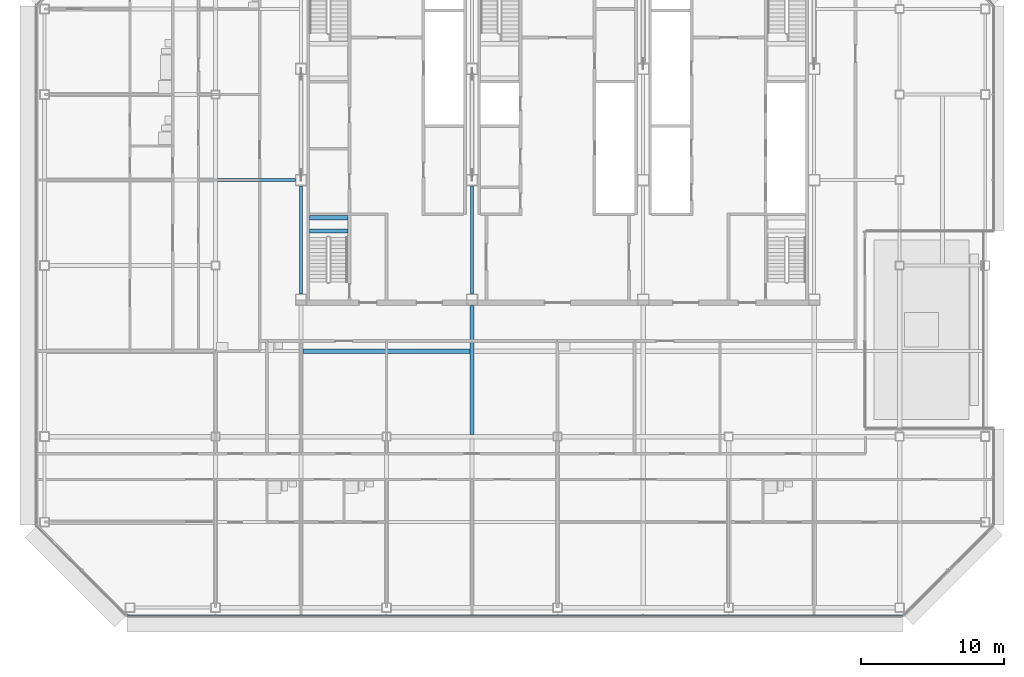
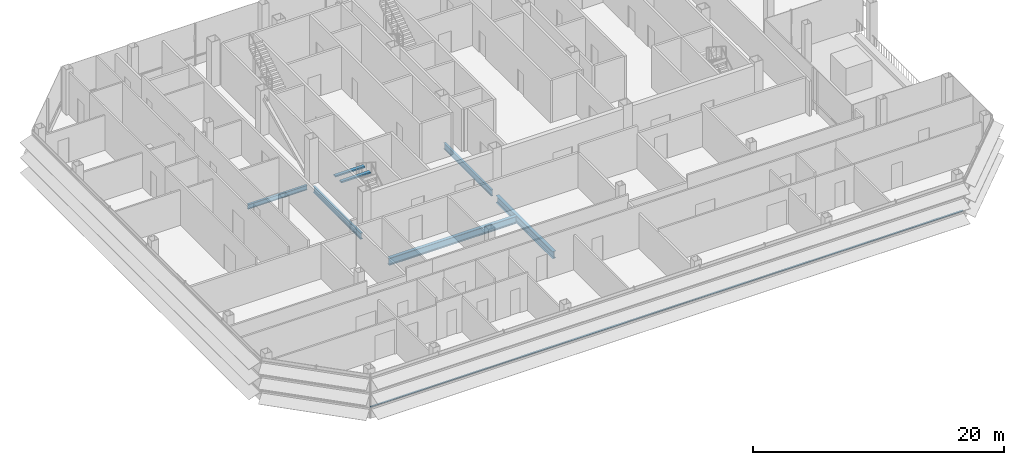
# One storey, part 7 of 30: 7 beams, 1 member, 1 element without a shape of its own.
"""IFC4 building model written with IfcOpenShell, lengths in metres."""

from ifc_helpers import new_model, si_unit, direction, frame, origin, origin_2d, place, context, subcontext, project, spatial, rectangle, i_section, extrude, material, material_profile, profile_set, type_object, element, aggregate, save


model = new_model("IFC4")

# Units and contexts
model_context = context("Model", 3, precision=1e-05, world=origin(), true_north=direction((0.0, 1.0)))
body_context = subcontext(model_context, "Body", "Model", "MODEL_VIEW")
ifc_project = project(units=[si_unit("LENGTHUNIT", "METRE"), si_unit("AREAUNIT", "SQUARE_METRE"), si_unit("VOLUMEUNIT", "CUBIC_METRE"), si_unit("PLANEANGLEUNIT", "RADIAN"), si_unit("MASSUNIT", "GRAM", prefix="KILO")], contexts=[model_context])

# Site, building, storey
site_placement = place(None, origin())
site = spatial("IfcSite", under=ifc_project, at=site_placement, CompositionType="ELEMENT")
building_placement = place(site_placement, origin())
building = spatial("IfcBuilding", under=site, at=building_placement, Name="Sorahane Residences", CompositionType="ELEMENT")
storey_placement = place(building_placement, frame((0.0, 0.0, 229.800048828125)))
storey = spatial("IfcBuildingStorey", under=building, at=storey_placement, Name="L54", CompositionType="ELEMENT", Elevation=229.800048828125)

# Curtain wall, member
ifc_material_1 = material(Name="Dark low-e glass and black anodised aluminium", Category="aluminium")
curtain_wall_type = type_object("IfcCurtainWallType", Name="Curtain wall CW-1 Typical unitised wall", PredefinedType="NOTDEFINED", material=ifc_material_1)
curtain_wall_placement = place(storey_placement, origin())
curtain_wall = element("IfcCurtainWall", 1, at=curtain_wall_placement, inside=storey, type_object=curtain_wall_type, Name="CW-1 curtain wall L54 S2", PredefinedType="NOTDEFINED")
ifc_material_2 = material(Name="Black anodised aluminium", Category="aluminium")
ifc_material_profile_1 = material_profile(ifc_material_2, rectangle(XDim=0.10009765625, YDim=0.06005859375, at=origin_2d()), Name="Curtain wall transom CW-1 black anodised aluminium 60x100")
ifc_profile_set_1 = profile_set([ifc_material_profile_1], Name="Black anodised aluminium")
member_type = type_object("IfcMemberType", Name="Curtain wall transom CW-1 black anodised aluminium 60x100", PredefinedType="USERDEFINED", material=ifc_profile_set_1)
member_placement = place(storey_placement, frame((-6.198486328125, -0.530029296875, 0.89990234375), z_axis=(1.0, 0.0, 0.0), x_axis=(0.0, 1.0, 0.0)))
member = element("IfcMember", 2, at=member_placement, type_object=member_type, Name="CW-1 transom L54 S2", ObjectType="TRANSOM", PredefinedType="USERDEFINED", context=body_context, shape_type="SweptSolid", body=[
    extrude(rectangle(XDim=0.10009765625, YDim=0.06005859375, at=origin_2d()), origin(), (0.0, 0.0, 1.0), 54.39697265625),
])
aggregate(curtain_wall, [member])

# Beams
ifc_material_3 = material(Name="Concrete C40", Category="concrete")
ifc_material_profile_2 = material_profile(ifc_material_3, rectangle(XDim=0.300048828125, YDim=0.139892578125, at=origin_2d()), Name="300x140")
ifc_profile_set_2 = profile_set([ifc_material_profile_2], Name="Concrete C40")
beam_type_1 = type_object("IfcBeamType", Name="RC landing beam 300 x 140 Concrete C40", PredefinedType="BEAM", material=ifc_profile_set_2)
for number, where, z_axis, x_axis, name in (
    (3, (6.60009765625, 26.419921875, 1.929931640625), (1.0, 0.0, 0.0), (0.0, 1.0, 0.0), "Landing beam"),
    (4, (6.60009765625, 27.35009765625, 1.929931640625), (1.0, 0.0, 0.0), (0.0, 1.0, 0.0), "Landing beam"),
):
    element("IfcBeam", number, at=place(storey_placement, frame(where, z_axis=z_axis, x_axis=x_axis)), inside=storey, type_object=beam_type_1, Name=name, PredefinedType="BEAM", context=body_context, shape_type="SweptSolid", body=[
        extrude(rectangle(XDim=0.300048828125, YDim=0.139892578125, at=origin_2d()), origin(), (0.0, 0.0, 1.0), 2.699951171875),
    ])
ifc_material_4 = material(Name="Steel Q355B", Category="steel")
ifc_material_profile_3 = material_profile(ifc_material_4, i_section(OverallWidth=0.199951171875, OverallDepth=0.449951171875, WebThickness=0.009033203125, FlangeThickness=0.013916015625, FilletRadius=0.02001953125, at=origin_2d()), Name="HN 450x200x9x14")
ifc_profile_set_3 = profile_set([ifc_material_profile_3], Name="Steel Q355B")
beam_type_2 = type_object("IfcBeamType", Name="Steel floor beam HN 450x200x9x14 Q355B", PredefinedType="BEAM", material=ifc_profile_set_3)
beam_1_placement = place(storey_placement, frame((0.14990234375, 30.0, -0.405029296875), z_axis=(1.0, 0.0, 0.0), x_axis=(0.0, 1.0, 0.0)))
element("IfcBeam", 5, at=beam_1_placement, inside=storey, type_object=beam_type_2, Name="Beam L54 085", PredefinedType="BEAM", context=body_context, shape_type="SweptSolid", body=[
    extrude(i_section(OverallWidth=0.199951171875, OverallDepth=0.449951171875, WebThickness=0.009033203125, FlangeThickness=0.013916015625, FilletRadius=0.02001953125, at=origin_2d()), origin(), (0.0, 0.0, 1.0), 5.4501953125),
])
ifc_material_5 = material(Name="Steel Q355B", Category="steel")
ifc_material_profile_4 = material_profile(ifc_material_5, i_section(OverallWidth=0.199951171875, OverallDepth=0.60009765625, WebThickness=0.010986328125, FlangeThickness=0.01708984375, FilletRadius=0.02392578125, at=origin_2d()), Name="HN 600x200x11x17")
ifc_profile_set_4 = profile_set([ifc_material_profile_4], Name="Steel Q355B")
beam_type_3 = type_object("IfcBeamType", Name="Steel floor beam HN 600x200x11x17 Q355B", PredefinedType="BEAM", material=ifc_profile_set_4)
for number, where, z_axis, x_axis, name in (
    (6, (6.0, 22.0, -0.47998046875), (0.0, 1.0, 0.0), (-1.0, 0.0, 0.0), "Beam L54 030"),
    (7, (18.0, 22.0, -0.47998046875), (0.0, 1.0, 0.0), (-1.0, 0.0, 0.0), "Beam L54 038"),
):
    element("IfcBeam", number, at=place(storey_placement, frame(where, z_axis=z_axis, x_axis=x_axis)), inside=storey, type_object=beam_type_3, Name=name, PredefinedType="BEAM", context=body_context, shape_type="SweptSolid", body=[
        extrude(i_section(OverallWidth=0.199951171875, OverallDepth=0.60009765625, WebThickness=0.010986328125, FlangeThickness=0.01708984375, FilletRadius=0.02392578125, at=origin_2d()), origin(), (0.0, 0.0, 1.0), 7.60009765625),
    ])
ifc_material_6 = material(Name="Steel Q355B", Category="steel")
ifc_material_profile_5 = material_profile(ifc_material_6, i_section(OverallWidth=0.300048828125, OverallDepth=0.699951171875, WebThickness=0.012939453125, FlangeThickness=0.02392578125, FilletRadius=0.028076171875, at=origin_2d()), Name="HN 700x300x13x24")
ifc_profile_set_5 = profile_set([ifc_material_profile_5], Name="Steel Q355B")
beam_type_4 = type_object("IfcBeamType", Name="Steel floor beam HN 700x300x13x24 Q355B", PredefinedType="BEAM", material=ifc_profile_set_5)
beam_2_placement = place(storey_placement, frame((18.0, 12.14990234375, -0.530029296875), z_axis=(0.0, 1.0, 0.0), x_axis=(-1.0, 0.0, 0.0)))
element("IfcBeam", 8, at=beam_2_placement, inside=storey, type_object=beam_type_4, Name="Beam L54 037", PredefinedType="BEAM", context=body_context, shape_type="SweptSolid", body=[
    extrude(i_section(OverallWidth=0.300048828125, OverallDepth=0.699951171875, WebThickness=0.012939453125, FlangeThickness=0.02392578125, FilletRadius=0.028076171875, at=origin_2d()), origin(), (0.0, 0.0, 1.0), 9.050048828125),
])
beam_3_placement = place(storey_placement, frame((6.14990234375, 18.0, -0.530029296875), z_axis=(1.0, 0.0, 0.0), x_axis=(0.0, 1.0, 0.0)))
element("IfcBeam", 9, at=beam_3_placement, inside=storey, type_object=beam_type_4, Name="Beam L54 079", PredefinedType="BEAM", context=body_context, shape_type="SweptSolid", body=[
    extrude(i_section(OverallWidth=0.300048828125, OverallDepth=0.699951171875, WebThickness=0.012939453125, FlangeThickness=0.02392578125, FilletRadius=0.028076171875, at=origin_2d()), origin(), (0.0, 0.0, 1.0), 11.7001953125),
])

save(model, "model.ifc")
